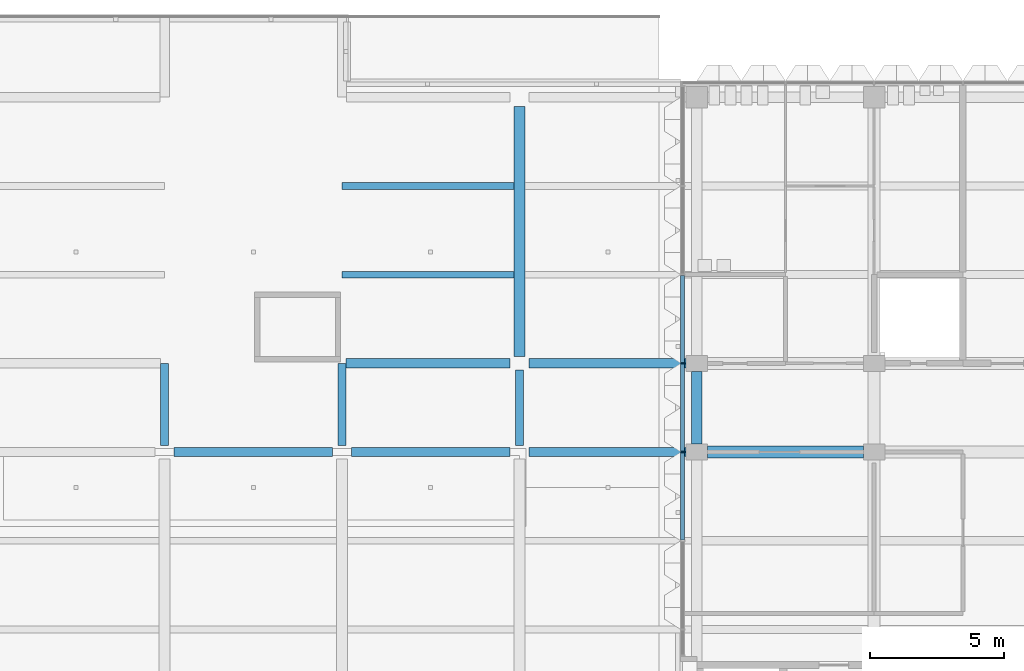
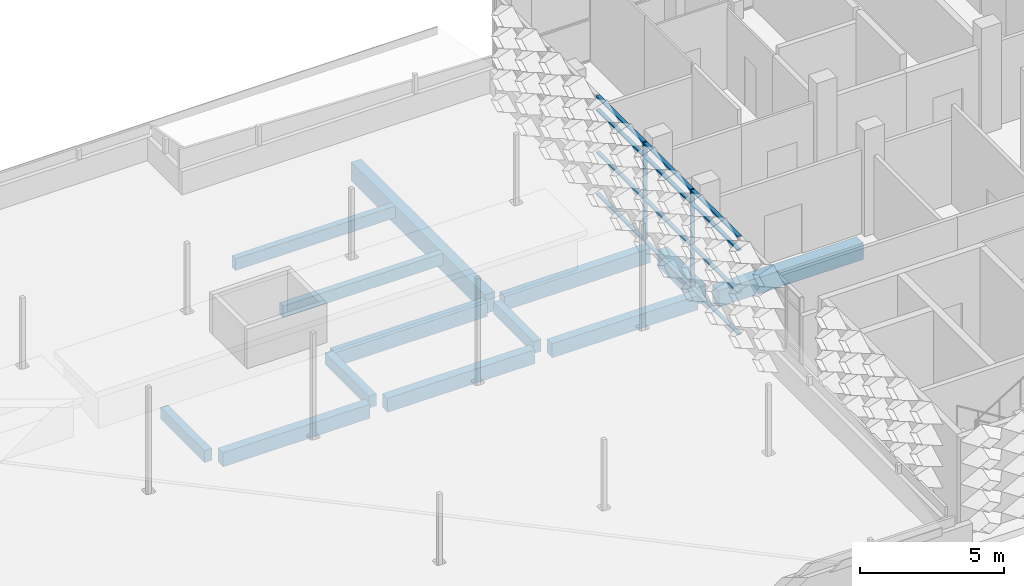
# One storey, part 3 of 39: 14 members, 13 beams, 1 element without a shape of its own.
"""IFC4 building model written with IfcOpenShell, lengths in metres."""

from ifc_helpers import new_model, si_unit, direction, frame, origin, origin_2d, place, context, subcontext, project, spatial, rectangle, extrude, material, material_profile, profile_set, type_object, element, aggregate, save


model = new_model("IFC4")

# Units and contexts
model_context = context("Model", 3, precision=1e-05, world=origin(), true_north=direction((0.0, 1.0)))
body_context = subcontext(model_context, "Body", "Model", "MODEL_VIEW")
ifc_project = project(units=[si_unit("LENGTHUNIT", "METRE"), si_unit("AREAUNIT", "SQUARE_METRE"), si_unit("VOLUMEUNIT", "CUBIC_METRE"), si_unit("PLANEANGLEUNIT", "RADIAN"), si_unit("MASSUNIT", "GRAM", prefix="KILO")], contexts=[model_context])

# Site, building, storey
site_placement = place(None, origin())
site = spatial("IfcSite", under=ifc_project, at=site_placement, CompositionType="ELEMENT")
building_placement = place(site_placement, origin())
building = spatial("IfcBuilding", under=site, at=building_placement, Name="Lantern Court Research Institute", CompositionType="ELEMENT")
storey_placement = place(building_placement, frame((0.0, 0.0, 27.89990234375)))
storey = spatial("IfcBuildingStorey", under=building, at=storey_placement, Name="L06", CompositionType="ELEMENT", Elevation=27.89990234375)

# Curtain wall, members
ifc_material_1 = material(Name="Aluminium alloy 6063-T6", Category="aluminium")
curtain_wall_type = type_object("IfcCurtainWallType", Name="Curtain wall 21250 x 4200 x 150 aluminium frame", PredefinedType="NOTDEFINED", material=ifc_material_1)
curtain_wall_placement = place(storey_placement, origin())
curtain_wall = element("IfcCurtainWall", 1, at=curtain_wall_placement, inside=storey, type_object=curtain_wall_type, Name="Curtain wall CW080", PredefinedType="NOTDEFINED")
ifc_material_2 = material(Name="Aluminium alloy 6063-T6", Category="aluminium")
ifc_material_profile_1 = material_profile(ifc_material_2, rectangle(XDim=0.14990234375, YDim=0.06005859375, at=origin_2d()), Name="Mullion 150 x 60")
ifc_profile_set_1 = profile_set([ifc_material_profile_1], Name="Aluminium alloy 6063-T6")
member_type_1 = type_object("IfcMemberType", Name="Mullion 150 x 60 aluminium", PredefinedType="MULLION", material=ifc_profile_set_1)
member_1_placement = place(storey_placement, frame((52.27490234375, 9.89990234375, 0.0), z_axis=(0.0, 0.0, 1.0), x_axis=(-1.0, 0.0, 0.0)))
member_1 = element("IfcMember", 2, at=member_1_placement, type_object=member_type_1, Name="CW080 mullion 4", PredefinedType="MULLION", context=body_context, shape_type="SweptSolid", body=[
    extrude(rectangle(XDim=0.14990234375, YDim=0.06005859375, at=origin_2d()), origin(), (0.0, 0.0, 1.0), 4.2001953125),
])
member_2_placement = place(storey_placement, frame((52.27490234375, 13.199951171875, 0.0), z_axis=(0.0, 0.0, 1.0), x_axis=(-1.0, 0.0, 0.0)))
member_2 = element("IfcMember", 3, at=member_2_placement, type_object=member_type_1, Name="CW080 mullion 5", PredefinedType="MULLION", context=body_context, shape_type="SweptSolid", body=[
    extrude(rectangle(XDim=0.14990234375, YDim=0.06005859375, at=origin_2d()), origin(), (0.0, 0.0, 1.0), 4.2001953125),
])

# Beams
ifc_material_3 = material(Name="Concrete C40/50", Category="concrete")
ifc_material_profile_2 = material_profile(ifc_material_3, rectangle(XDim=0.35009765625, YDim=0.60009765625, at=origin_2d()), Name="RC beam 350 x 600")
ifc_profile_set_2 = profile_set([ifc_material_profile_2], Name="Concrete C40/50")
beam_type_1 = type_object("IfcBeamType", Name="RC beam 350 x 600", PredefinedType="BEAM", material=ifc_profile_set_2)
beam_1_placement = place(storey_placement, frame((33.35009765625, 9.89990234375, -0.5498046875), z_axis=(1.0, 0.0, 0.0), x_axis=(0.0, 1.0, 0.0)))
element("IfcBeam", 4, at=beam_1_placement, inside=storey, type_object=beam_type_1, Name="Beam L06 grid B/6-7", PredefinedType="BEAM", context=body_context, shape_type="SweptSolid", body=[
    extrude(rectangle(XDim=0.35009765625, YDim=0.60009765625, at=origin_2d()), origin(), (0.0, 0.0, 1.0), 5.89990234375),
])
beam_2_placement = place(storey_placement, frame((39.949951171875, 9.89990234375, -0.5498046875), z_axis=(1.0, 0.0, 0.0), x_axis=(0.0, 1.0, 0.0)))
element("IfcBeam", 5, at=beam_2_placement, inside=storey, type_object=beam_type_1, Name="Beam L06 grid B/7-8", PredefinedType="BEAM", context=body_context, shape_type="SweptSolid", body=[
    extrude(rectangle(XDim=0.35009765625, YDim=0.60009765625, at=origin_2d()), origin(), (0.0, 0.0, 1.0), 5.900146484375),
])
beam_3_placement = place(storey_placement, frame((46.550048828125, 9.89990234375, -0.5498046875), z_axis=(1.0, 0.0, 0.0), x_axis=(0.0, 1.0, 0.0)))
element("IfcBeam", 6, at=beam_3_placement, inside=storey, type_object=beam_type_1, Name="Beam L06 grid B/8-9", PredefinedType="BEAM", context=body_context, shape_type="SweptSolid", body=[
    extrude(rectangle(XDim=0.35009765625, YDim=0.60009765625, at=origin_2d()), origin(), (0.0, 0.0, 1.0), 5.849853515625),
])
beam_4_placement = place(storey_placement, frame((39.75, 13.199951171875, -0.5498046875), z_axis=(1.0, 0.0, 0.0), x_axis=(0.0, 1.0, 0.0)))
element("IfcBeam", 7, at=beam_4_placement, inside=storey, type_object=beam_type_1, Name="Beam L06 grid C/7-8", PredefinedType="BEAM", context=body_context, shape_type="SweptSolid", body=[
    extrude(rectangle(XDim=0.35009765625, YDim=0.60009765625, at=origin_2d()), origin(), (0.0, 0.0, 1.0), 6.10009765625),
])
beam_5_placement = place(storey_placement, frame((46.550048828125, 13.199951171875, -0.5498046875), z_axis=(1.0, 0.0, 0.0), x_axis=(0.0, 1.0, 0.0)))
element("IfcBeam", 8, at=beam_5_placement, inside=storey, type_object=beam_type_1, Name="Beam L06 grid C/8-9", PredefinedType="BEAM", context=body_context, shape_type="SweptSolid", body=[
    extrude(rectangle(XDim=0.35009765625, YDim=0.60009765625, at=origin_2d()), origin(), (0.0, 0.0, 1.0), 5.849853515625),
])
ifc_material_4 = material(Name="Concrete C40/50", Category="concrete")
ifc_material_profile_3 = material_profile(ifc_material_4, rectangle(XDim=0.449951171875, YDim=0.699951171875, at=origin_2d()), Name="RC beam 450 x 700")
ifc_profile_set_3 = profile_set([ifc_material_profile_3], Name="Concrete C40/50")
beam_type_2 = type_object("IfcBeamType", Name="RC beam 450 x 700", PredefinedType="BEAM", material=ifc_profile_set_3)
beam_6_placement = place(storey_placement, frame((53.199951171875, 9.89990234375, -0.64990234375), z_axis=(1.0, 0.0, 0.0), x_axis=(0.0, 1.0, 0.0)))
element("IfcBeam", 9, at=beam_6_placement, inside=storey, type_object=beam_type_2, Name="Beam L06 grid B/9-10", PredefinedType="BEAM", context=body_context, shape_type="SweptSolid", body=[
    extrude(rectangle(XDim=0.449951171875, YDim=0.699951171875, at=origin_2d()), origin(), (0.0, 0.0, 1.0), 5.800048828125),
])
ifc_material_5 = material(Name="Concrete C40/50", Category="concrete")
ifc_material_profile_4 = material_profile(ifc_material_5, rectangle(XDim=0.39990234375, YDim=0.699951171875, at=origin_2d()), Name="RC beam 400 x 700")
ifc_profile_set_4 = profile_set([ifc_material_profile_4], Name="Concrete C40/50")
beam_type_3 = type_object("IfcBeamType", Name="RC edge beam 400 x 700", PredefinedType="BEAM", material=ifc_profile_set_4)
beam_7_placement = place(storey_placement, frame((52.800048828125, 10.199951171875, -0.64990234375), z_axis=(0.0, 1.0, 0.0), x_axis=(-1.0, 0.0, 0.0)))
element("IfcBeam", 10, at=beam_7_placement, inside=storey, type_object=beam_type_3, Name="Edge beam L06 grid 9/B-C", PredefinedType="BEAM", context=body_context, shape_type="SweptSolid", body=[
    extrude(rectangle(XDim=0.39990234375, YDim=0.699951171875, at=origin_2d()), origin(), (0.0, 0.0, 1.0), 2.699951171875),
])
ifc_material_6 = material(Name="Concrete C40/50", Category="concrete")
ifc_material_profile_5 = material_profile(ifc_material_6, rectangle(XDim=0.39990234375, YDim=0.800048828125, at=origin_2d()), Name="RC beam 400 x 800")
ifc_profile_set_5 = profile_set([ifc_material_profile_5], Name="Concrete C40/50")
beam_type_4 = type_object("IfcBeamType", Name="RC girder 400 x 800", PredefinedType="BEAM", material=ifc_profile_set_5)
beam_8_placement = place(storey_placement, frame((46.199951171875, 13.449951171875, -0.64990234375), z_axis=(0.0, 1.0, 0.0), x_axis=(-1.0, 0.0, 0.0)))
element("IfcBeam", 11, at=beam_8_placement, inside=storey, type_object=beam_type_4, Name="Girder L06 grid 8/C-D", PredefinedType="BEAM", context=body_context, shape_type="SweptSolid", body=[
    extrude(rectangle(XDim=0.39990234375, YDim=0.800048828125, at=origin_2d()), origin(), (0.0, 0.0, 1.0), 9.300048828125),
])
ifc_material_7 = material(Name="Concrete C40/50", Category="concrete")
ifc_material_profile_6 = material_profile(ifc_material_7, rectangle(XDim=0.25, YDim=0.5, at=origin_2d()), Name="RC beam 250 x 500")
ifc_profile_set_6 = profile_set([ifc_material_profile_6], Name="Concrete C40/50")
beam_type_5 = type_object("IfcBeamType", Name="RC secondary beam 250 x 500", PredefinedType="BEAM", material=ifc_profile_set_6)
for number, where, z_axis, x_axis, name in (
    (12, (39.60009765625, 16.5, -0.5), (1.0, 0.0, 0.0), (0.0, 1.0, 0.0), "Secondary beam L06 grids 7-8 / C-D, line 1"),
    (13, (39.60009765625, 19.800048828125, -0.5), (1.0, 0.0, 0.0), (0.0, 1.0, 0.0), "Secondary beam L06 grids 7-8 / C-D, line 2"),
):
    element("IfcBeam", number, at=place(storey_placement, frame(where, z_axis=z_axis, x_axis=x_axis)), inside=storey, type_object=beam_type_5, Name=name, PredefinedType="BEAM", context=body_context, shape_type="SweptSolid", body=[
        extrude(rectangle(XDim=0.25, YDim=0.5, at=origin_2d()), origin(), (0.0, 0.0, 1.0), 6.39990234375),
    ])
ifc_material_8 = material(Name="Concrete C40/50", Category="concrete")
ifc_material_profile_7 = material_profile(ifc_material_8, rectangle(XDim=0.300048828125, YDim=0.5, at=origin_2d()), Name="RC beam 300 x 500")
ifc_profile_set_7 = profile_set([ifc_material_profile_7], Name="Concrete C40/50")
beam_type_6 = type_object("IfcBeamType", Name="RC spine beam 300 x 500", PredefinedType="BEAM", material=ifc_profile_set_7)
for number, where, z_axis, x_axis, name in (
    (14, (33.0, 10.14990234375, -0.5), (0.0, 1.0, 0.0), (-1.0, 0.0, 0.0), "Beam L06 grid 6/B-C"),
    (15, (39.60009765625, 10.14990234375, -0.5), (0.0, 1.0, 0.0), (-1.0, 0.0, 0.0), "Beam L06 grid 7/B-C"),
):
    element("IfcBeam", number, at=place(storey_placement, frame(where, z_axis=z_axis, x_axis=x_axis)), inside=storey, type_object=beam_type_6, Name=name, PredefinedType="BEAM", context=body_context, shape_type="SweptSolid", body=[
        extrude(rectangle(XDim=0.300048828125, YDim=0.5, at=origin_2d()), origin(), (0.0, 0.0, 1.0), 3.050048828125),
    ])
beam_9_placement = place(storey_placement, frame((46.199951171875, 10.14990234375, -0.5), z_axis=(0.0, 1.0, 0.0), x_axis=(-1.0, 0.0, 0.0)))
element("IfcBeam", 16, at=beam_9_placement, inside=storey, type_object=beam_type_6, Name="Beam L06 grid 8/B-C", PredefinedType="BEAM", context=body_context, shape_type="SweptSolid", body=[
    extrude(rectangle(XDim=0.300048828125, YDim=0.5, at=origin_2d()), origin(), (0.0, 0.0, 1.0), 2.800048828125),
])

# Member
ifc_material_9 = material(Name="Aluminium alloy 6063-T6", Category="aluminium")
ifc_material_profile_8 = material_profile(ifc_material_9, rectangle(XDim=0.14990234375, YDim=0.06005859375, at=origin_2d()), Name="Transom 150 x 60")
ifc_profile_set_8 = profile_set([ifc_material_profile_8], Name="Aluminium alloy 6063-T6")
member_type_2 = type_object("IfcMemberType", Name="Transom 150 x 60 aluminium", PredefinedType="USERDEFINED", material=ifc_profile_set_8)
member_3_placement = place(storey_placement, frame((52.27490234375, 6.6298828125, 0.030029296875), z_axis=(0.0, 1.0, 0.0), x_axis=(-1.0, 0.0, 0.0)))
member_3 = element("IfcMember", 17, at=member_3_placement, type_object=member_type_2, Name="CW080 transom 3.1", ObjectType="TRANSOM", PredefinedType="USERDEFINED", context=body_context, shape_type="SweptSolid", body=[
    extrude(rectangle(XDim=0.14990234375, YDim=0.06005859375, at=origin_2d()), origin(), (0.0, 0.0, 1.0), 3.240234375),
])

member_4_placement = place(storey_placement, frame((52.27490234375, 6.6298828125, 1.800048828125), z_axis=(0.0, 1.0, 0.0), x_axis=(-1.0, 0.0, 0.0)))
member_4 = element("IfcMember", 18, at=member_4_placement, type_object=member_type_2, Name="CW080 transom 3.2", ObjectType="TRANSOM", PredefinedType="USERDEFINED", context=body_context, shape_type="SweptSolid", body=[
    extrude(rectangle(XDim=0.14990234375, YDim=0.06005859375, at=origin_2d()), origin(), (0.0, 0.0, 1.0), 3.240234375),
])

member_5_placement = place(storey_placement, frame((52.27490234375, 6.6298828125, 3.60009765625), z_axis=(0.0, 1.0, 0.0), x_axis=(-1.0, 0.0, 0.0)))
member_5 = element("IfcMember", 19, at=member_5_placement, type_object=member_type_2, Name="CW080 transom 3.3", ObjectType="TRANSOM", PredefinedType="USERDEFINED", context=body_context, shape_type="SweptSolid", body=[
    extrude(rectangle(XDim=0.14990234375, YDim=0.06005859375, at=origin_2d()), origin(), (0.0, 0.0, 1.0), 3.240234375),
])

member_6_placement = place(storey_placement, frame((52.27490234375, 6.6298828125, 4.170166015625), z_axis=(0.0, 1.0, 0.0), x_axis=(-1.0, 0.0, 0.0)))
member_6 = element("IfcMember", 20, at=member_6_placement, type_object=member_type_2, Name="CW080 transom 3.4", ObjectType="TRANSOM", PredefinedType="USERDEFINED", context=body_context, shape_type="SweptSolid", body=[
    extrude(rectangle(XDim=0.14990234375, YDim=0.06005859375, at=origin_2d()), origin(), (0.0, 0.0, 1.0), 3.240234375),
])

member_7_placement = place(storey_placement, frame((52.27490234375, 9.929931640625, 0.030029296875), z_axis=(0.0, 1.0, 0.0), x_axis=(-1.0, 0.0, 0.0)))
member_7 = element("IfcMember", 21, at=member_7_placement, type_object=member_type_2, Name="CW080 transom 4.1", ObjectType="TRANSOM", PredefinedType="USERDEFINED", context=body_context, shape_type="SweptSolid", body=[
    extrude(rectangle(XDim=0.14990234375, YDim=0.06005859375, at=origin_2d()), origin(), (0.0, 0.0, 1.0), 3.239990234375),
])

member_8_placement = place(storey_placement, frame((52.27490234375, 9.929931640625, 1.800048828125), z_axis=(0.0, 1.0, 0.0), x_axis=(-1.0, 0.0, 0.0)))
member_8 = element("IfcMember", 22, at=member_8_placement, type_object=member_type_2, Name="CW080 transom 4.2", ObjectType="TRANSOM", PredefinedType="USERDEFINED", context=body_context, shape_type="SweptSolid", body=[
    extrude(rectangle(XDim=0.14990234375, YDim=0.06005859375, at=origin_2d()), origin(), (0.0, 0.0, 1.0), 3.239990234375),
])

member_9_placement = place(storey_placement, frame((52.27490234375, 9.929931640625, 3.60009765625), z_axis=(0.0, 1.0, 0.0), x_axis=(-1.0, 0.0, 0.0)))
member_9 = element("IfcMember", 23, at=member_9_placement, type_object=member_type_2, Name="CW080 transom 4.3", ObjectType="TRANSOM", PredefinedType="USERDEFINED", context=body_context, shape_type="SweptSolid", body=[
    extrude(rectangle(XDim=0.14990234375, YDim=0.06005859375, at=origin_2d()), origin(), (0.0, 0.0, 1.0), 3.239990234375),
])

member_10_placement = place(storey_placement, frame((52.27490234375, 9.929931640625, 4.170166015625), z_axis=(0.0, 1.0, 0.0), x_axis=(-1.0, 0.0, 0.0)))
member_10 = element("IfcMember", 24, at=member_10_placement, type_object=member_type_2, Name="CW080 transom 4.4", ObjectType="TRANSOM", PredefinedType="USERDEFINED", context=body_context, shape_type="SweptSolid", body=[
    extrude(rectangle(XDim=0.14990234375, YDim=0.06005859375, at=origin_2d()), origin(), (0.0, 0.0, 1.0), 3.239990234375),
])

member_11_placement = place(storey_placement, frame((52.27490234375, 13.22998046875, 0.030029296875), z_axis=(0.0, 1.0, 0.0), x_axis=(-1.0, 0.0, 0.0)))
member_11 = element("IfcMember", 25, at=member_11_placement, type_object=member_type_2, Name="CW080 transom 5.1", ObjectType="TRANSOM", PredefinedType="USERDEFINED", context=body_context, shape_type="SweptSolid", body=[
    extrude(rectangle(XDim=0.14990234375, YDim=0.06005859375, at=origin_2d()), origin(), (0.0, 0.0, 1.0), 3.239990234375),
])

member_12_placement = place(storey_placement, frame((52.27490234375, 13.22998046875, 1.800048828125), z_axis=(0.0, 1.0, 0.0), x_axis=(-1.0, 0.0, 0.0)))
member_12 = element("IfcMember", 26, at=member_12_placement, type_object=member_type_2, Name="CW080 transom 5.2", ObjectType="TRANSOM", PredefinedType="USERDEFINED", context=body_context, shape_type="SweptSolid", body=[
    extrude(rectangle(XDim=0.14990234375, YDim=0.06005859375, at=origin_2d()), origin(), (0.0, 0.0, 1.0), 3.239990234375),
])

member_13_placement = place(storey_placement, frame((52.27490234375, 13.22998046875, 3.60009765625), z_axis=(0.0, 1.0, 0.0), x_axis=(-1.0, 0.0, 0.0)))
member_13 = element("IfcMember", 27, at=member_13_placement, type_object=member_type_2, Name="CW080 transom 5.3", ObjectType="TRANSOM", PredefinedType="USERDEFINED", context=body_context, shape_type="SweptSolid", body=[
    extrude(rectangle(XDim=0.14990234375, YDim=0.06005859375, at=origin_2d()), origin(), (0.0, 0.0, 1.0), 3.239990234375),
])

member_14_placement = place(storey_placement, frame((52.27490234375, 13.22998046875, 4.170166015625), z_axis=(0.0, 1.0, 0.0), x_axis=(-1.0, 0.0, 0.0)))
member_14 = element("IfcMember", 28, at=member_14_placement, type_object=member_type_2, Name="CW080 transom 5.4", ObjectType="TRANSOM", PredefinedType="USERDEFINED", context=body_context, shape_type="SweptSolid", body=[
    extrude(rectangle(XDim=0.14990234375, YDim=0.06005859375, at=origin_2d()), origin(), (0.0, 0.0, 1.0), 3.239990234375),
])

aggregate(curtain_wall, [member_1, member_2, member_3, member_4, member_5, member_6, member_7, member_8, member_9, member_10, member_11, member_12, member_13, member_14])

save(model, "model.ifc")
